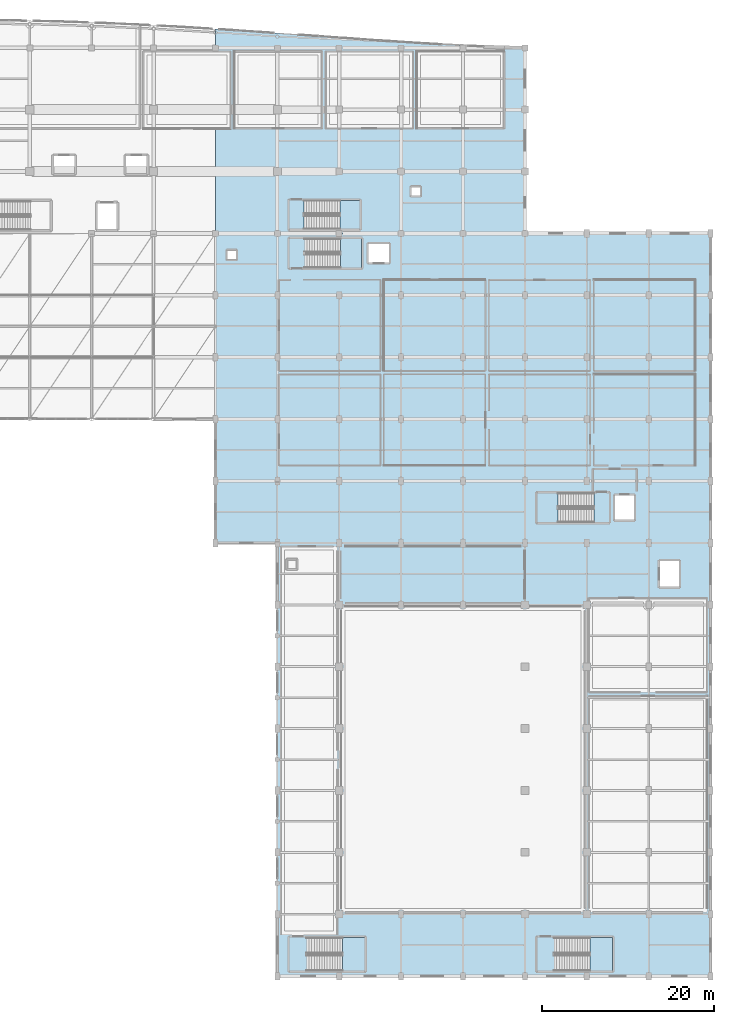
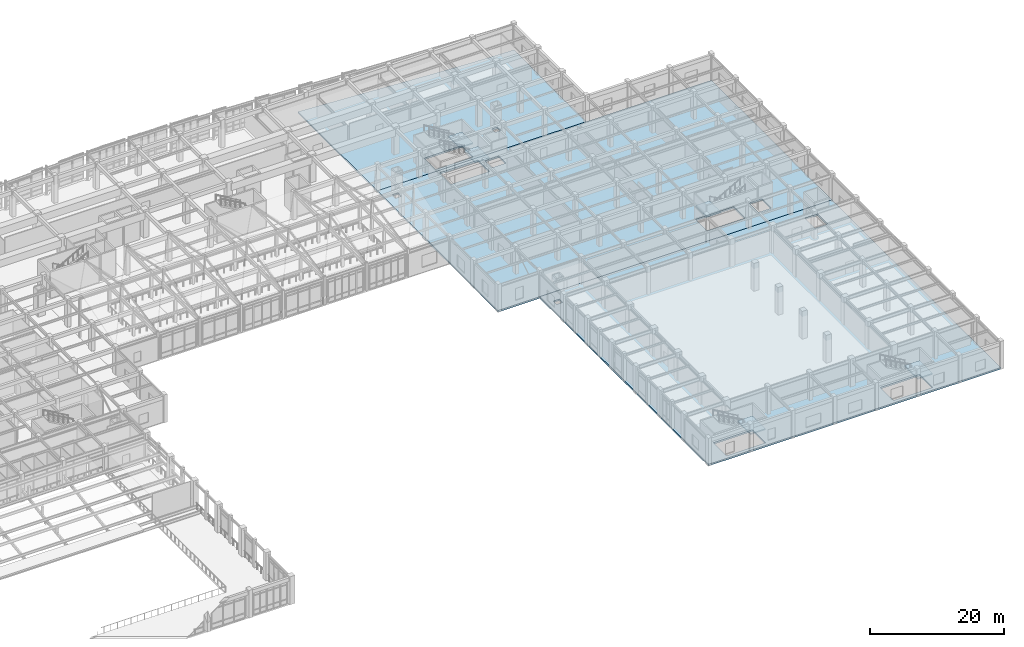
# One storey, part 77 of 117: 8 slabs, 5 elements without a shape of their own.
"""IFC4 building model written with IfcOpenShell, lengths in metres."""

from ifc_helpers import new_model, si_unit, direction, frame, origin, place, context, subcontext, project, spatial, polyline, outline, extrude, material, layer, layer_set, type_object, element, aggregate, save


model = new_model("IFC4")

# Units and contexts
model_context = context("Model", 3, precision=1e-05, world=origin(), true_north=direction((0.0, 1.0)))
body_context = subcontext(model_context, "Body", "Model", "MODEL_VIEW")
ifc_project = project(units=[si_unit("LENGTHUNIT", "METRE"), si_unit("AREAUNIT", "SQUARE_METRE"), si_unit("VOLUMEUNIT", "CUBIC_METRE"), si_unit("PLANEANGLEUNIT", "RADIAN"), si_unit("MASSUNIT", "GRAM", prefix="KILO")], contexts=[model_context])

# Site, building, storey
site_placement = place(None, origin())
site = spatial("IfcSite", under=ifc_project, at=site_placement, CompositionType="ELEMENT")
building_placement = place(site_placement, origin())
building = spatial("IfcBuilding", under=site, at=building_placement, Name="Carrowvane Square Congress Hotel", CompositionType="ELEMENT")
storey_placement = place(building_placement, frame((0.0, 0.0, 5.39990234375)))
storey = spatial("IfcBuildingStorey", under=building, at=storey_placement, Name="L01", CompositionType="ELEMENT", Elevation=5.39990234375)

# Slabs
ifc_material_1 = material(Name="Concrete C35/45", Category="concrete")
ifc_layer_1 = layer(ifc_material_1, 0.300048828125)
ifc_layer_set_1 = layer_set([ifc_layer_1], Name="Concrete C35/45")
slab_type_1 = type_object("IfcSlabType", Name="SLB-FLR-300", PredefinedType="FLOOR", material=ifc_layer_set_1)
slab_1_placement = place(storey_placement, frame((0.0, 0.0, -0.2998046875)))
element("IfcSlab", 1, at=slab_1_placement, inside=storey, type_object=slab_type_1, Name="L01 V2 structural slab", PredefinedType="FLOOR", context=body_context, shape_type="SweptSolid", body=[
    extrude(outline(polyline([(134.0, 5.39990234375), (184.39990234375, 5.39990234375), (184.39990234375, 55.800048828125), (134.0, 55.800048828125), (134.0, 5.39990234375)]), holes=[polyline([(137.43994140625, 6.0), (144.199951171875, 6.0), (144.199951171875, 9.89990234375), (137.43994140625, 9.89990234375), (137.43994140625, 6.0)]), polyline([(166.239990234375, 6.0), (173.0, 6.0), (173.0, 9.89990234375), (166.239990234375, 9.89990234375), (166.239990234375, 6.0)]), polyline([(135.199951171875, 52.800048828125), (136.199951171875, 52.800048828125), (136.199951171875, 53.800048828125), (135.199951171875, 53.800048828125), (135.199951171875, 52.800048828125)]), polyline([(178.5, 50.699951171875), (180.699951171875, 50.699951171875), (180.699951171875, 53.699951171875), (178.5, 53.699951171875), (178.5, 50.699951171875)])]), origin(), (0.0, 0.0, 1.0), 0.2998046875),
])
slab_2_placement = place(storey_placement, frame((0.0, 0.0, -0.2998046875)))
element("IfcSlab", 2, at=slab_2_placement, inside=storey, type_object=slab_type_1, Name="L01 V3 structural slab", PredefinedType="FLOOR", context=body_context, shape_type="SweptSolid", body=[
    extrude(outline(polyline([(126.800048828125, 55.800048828125), (184.39990234375, 55.800048828125), (184.39990234375, 91.800048828125), (126.800048828125, 91.800048828125), (126.800048828125, 55.800048828125)]), holes=[polyline([(170.81005859375, 61.60009765625), (164.199951171875, 61.60009765625), (164.199951171875, 58.199951171875), (170.81005859375, 58.199951171875), (170.81005859375, 61.60009765625)]), polyline([(137.18994140625, 87.800048828125), (143.800048828125, 87.800048828125), (143.800048828125, 91.199951171875), (137.18994140625, 91.199951171875), (137.18994140625, 87.800048828125)]), polyline([(128.199951171875, 88.800048828125), (129.199951171875, 88.800048828125), (129.199951171875, 89.800048828125), (128.199951171875, 89.800048828125), (128.199951171875, 88.800048828125)]), polyline([(173.300048828125, 58.5), (175.5, 58.5), (175.5, 61.300048828125), (173.300048828125, 61.300048828125), (173.300048828125, 58.5)]), polyline([(144.60009765625, 88.449951171875), (147.0, 88.449951171875), (147.0, 90.550048828125), (144.60009765625, 90.550048828125), (144.60009765625, 88.449951171875)])]), origin(), (0.0, 0.0, 1.0), 0.2998046875),
])
slab_3_placement = place(storey_placement, frame((0.0, 0.0, -0.2998046875)))
element("IfcSlab", 3, at=slab_3_placement, inside=storey, type_object=slab_type_1, Name="L01 Hotel Wing slab panel 3", PredefinedType="FLOOR", context=body_context, shape_type="SweptSolid", body=[
    extrude(outline(polyline([(126.800048828125, 91.800048828125), (162.800048828125, 91.800048828125), (162.800048828125, 113.39990234375), (160.39990234375, 113.45166015625), (158.0, 113.541015625), (155.60009765625, 113.65283203125), (153.199951171875, 113.78125), (150.800048828125, 113.923095703125), (148.39990234375, 114.075439453125), (146.0, 114.235595703125), (143.60009765625, 114.4013671875), (141.199951171875, 114.5712890625), (138.800048828125, 114.7431640625), (136.39990234375, 114.915283203125), (134.0, 115.0859375), (131.60009765625, 115.253662109375), (129.199951171875, 115.4169921875), (126.800048828125, 115.57421875), (126.800048828125, 91.800048828125)]), holes=[polyline([(137.1201171875, 92.300048828125), (143.60009765625, 92.300048828125), (143.60009765625, 95.659912109375), (137.1201171875, 95.659912109375), (137.1201171875, 92.300048828125)]), polyline([(149.60009765625, 96.199951171875), (150.60009765625, 96.199951171875), (150.60009765625, 97.199951171875), (149.60009765625, 97.199951171875), (149.60009765625, 96.199951171875)])]), origin(), (0.0, 0.0, 1.0), 0.2998046875),
])

# Stair, slab
ifc_material_2 = material(Name="Concrete C35/45", Category="concrete")
stair_type_1 = type_object("IfcStairType", Name="STR-DOG-07", PredefinedType="HALF_TURN_STAIR", material=ifc_material_2)
stair_1_placement = place(storey_placement, origin())
stair_1 = element("IfcStair", 4, at=stair_1_placement, inside=storey, type_object=stair_type_1, Name="L01 Core C4 East Congress Firefighting Stair", PredefinedType="HALF_TURN_STAIR")
ifc_material_3 = material(Name="Concrete C35/45", Category="concrete")
ifc_layer_2 = layer(ifc_material_3, 0.199951171875)
ifc_layer_set_2 = layer_set([ifc_layer_2], Name="Concrete C35/45")
slab_type_2 = type_object("IfcSlabType", Name="SLB-LND-200", PredefinedType="LANDING", material=ifc_layer_set_2)
slab_4_placement = place(storey_placement, frame((0.0, 0.0, 2.35009765625)))
slab_4 = element("IfcSlab", 5, at=slab_4_placement, type_object=slab_type_2, Name="ST4 landing 1", PredefinedType="LANDING", context=body_context, shape_type="SweptSolid", body=[
    extrude(outline(polyline([(166.64990234375, 61.60009765625), (164.199951171875, 61.60009765625), (164.199951171875, 58.199951171875), (166.64990234375, 58.199951171875), (166.64990234375, 61.60009765625)])), origin(), (0.0, 0.0, 1.0), 0.199951171875),
])
aggregate(stair_1, [slab_4])

stair_2_placement = place(storey_placement, origin())
stair_2 = element("IfcStair", 6, at=stair_2_placement, inside=storey, type_object=stair_type_1, Name="L01 Meeting Wing Escape Stair", PredefinedType="HALF_TURN_STAIR")
slab_5_placement = place(storey_placement, frame((0.0, 0.0, 2.35009765625)))
slab_5 = element("IfcSlab", 7, at=slab_5_placement, type_object=slab_type_2, Name="ST8 landing 1", PredefinedType="LANDING", context=body_context, shape_type="SweptSolid", body=[
    extrude(outline(polyline([(141.35009765625, 87.800048828125), (143.800048828125, 87.800048828125), (143.800048828125, 91.199951171875), (141.35009765625, 91.199951171875), (141.35009765625, 87.800048828125)])), origin(), (0.0, 0.0, 1.0), 0.199951171875),
])
aggregate(stair_2, [slab_5])

ifc_material_4 = material(Name="Concrete C35/45", Category="concrete")
stair_type_2 = type_object("IfcStairType", Name="STR-DOG-13", PredefinedType="HALF_TURN_STAIR", material=ifc_material_4)
stair_3_placement = place(storey_placement, origin())
stair_3 = element("IfcStair", 8, at=stair_3_placement, inside=storey, type_object=stair_type_2, Name="L01 Ballroom South-West Assembly Stair", PredefinedType="HALF_TURN_STAIR")
slab_6_placement = place(storey_placement, frame((0.0, 0.0, 2.35009765625)))
slab_6 = element("IfcSlab", 9, at=slab_6_placement, type_object=slab_type_2, Name="ST10 landing 1", PredefinedType="LANDING", context=body_context, shape_type="SweptSolid", body=[
    extrude(outline(polyline([(141.60009765625, 6.0), (144.199951171875, 6.0), (144.199951171875, 9.89990234375), (141.60009765625, 9.89990234375), (141.60009765625, 6.0)])), origin(), (0.0, 0.0, 1.0), 0.199951171875),
])
aggregate(stair_3, [slab_6])

stair_4_placement = place(storey_placement, origin())
stair_4 = element("IfcStair", 10, at=stair_4_placement, inside=storey, type_object=stair_type_2, Name="L01 Ballroom South-East Assembly Stair", PredefinedType="HALF_TURN_STAIR")
slab_7_placement = place(storey_placement, frame((0.0, 0.0, 2.35009765625)))
slab_7 = element("IfcSlab", 11, at=slab_7_placement, type_object=slab_type_2, Name="ST11 landing 1", PredefinedType="LANDING", context=body_context, shape_type="SweptSolid", body=[
    extrude(outline(polyline([(170.39990234375, 6.0), (173.0, 6.0), (173.0, 9.89990234375), (170.39990234375, 9.89990234375), (170.39990234375, 6.0)])), origin(), (0.0, 0.0, 1.0), 0.199951171875),
])
aggregate(stair_4, [slab_7])

ifc_material_5 = material(Name="Concrete C35/45", Category="concrete")
stair_type_3 = type_object("IfcStairType", Name="STR-DOG-03", PredefinedType="HALF_TURN_STAIR", material=ifc_material_5)
stair_5_placement = place(storey_placement, origin())
stair_5 = element("IfcStair", 12, at=stair_5_placement, inside=storey, type_object=stair_type_3, Name="L01 East Hotel Wing Escape Stair", PredefinedType="HALF_TURN_STAIR")
slab_8_placement = place(storey_placement, frame((0.0, 0.0, 2.35009765625)))
slab_8 = element("IfcSlab", 13, at=slab_8_placement, type_object=slab_type_2, Name="ST12 landing 1", PredefinedType="LANDING", context=body_context, shape_type="SweptSolid", body=[
    extrude(outline(polyline([(141.280029296875, 92.300048828125), (143.60009765625, 92.300048828125), (143.60009765625, 95.659912109375), (141.280029296875, 95.659912109375), (141.280029296875, 92.300048828125)])), origin(), (0.0, 0.0, 1.0), 0.199951171875),
])
aggregate(stair_5, [slab_8])

save(model, "model.ifc")
